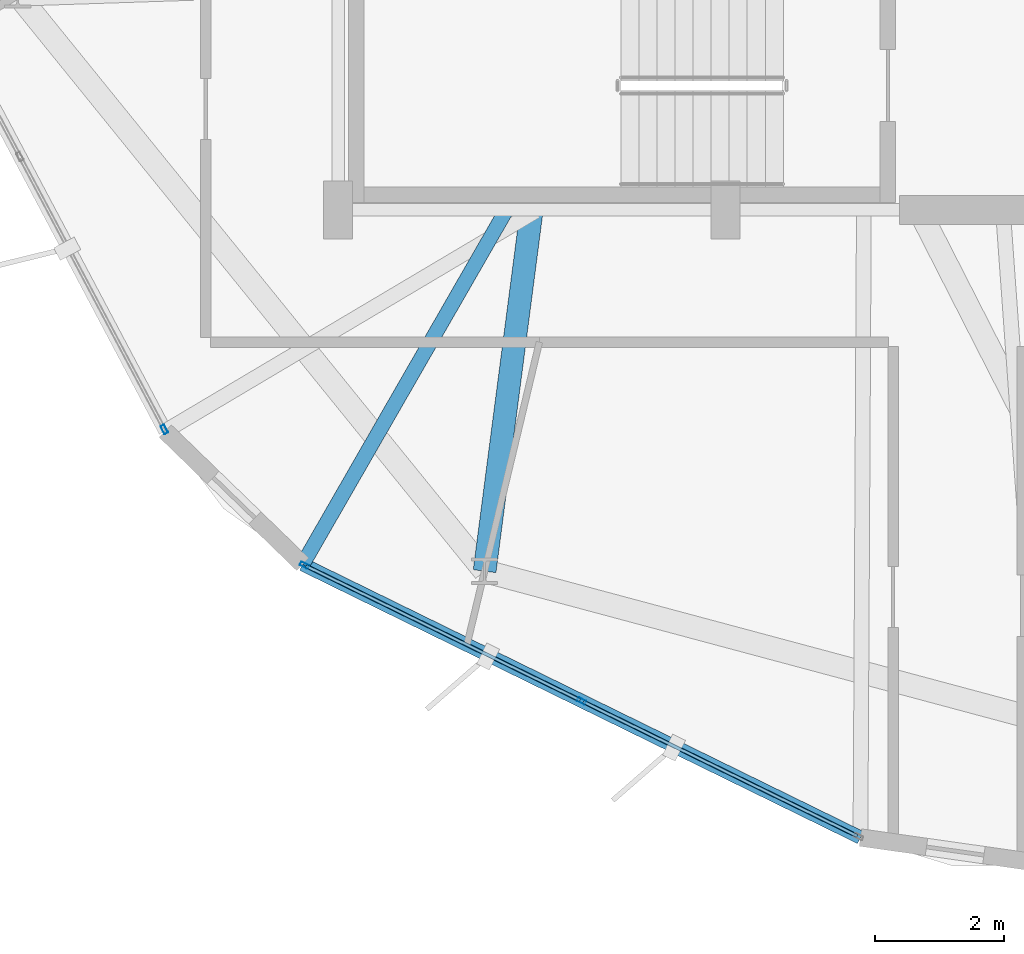
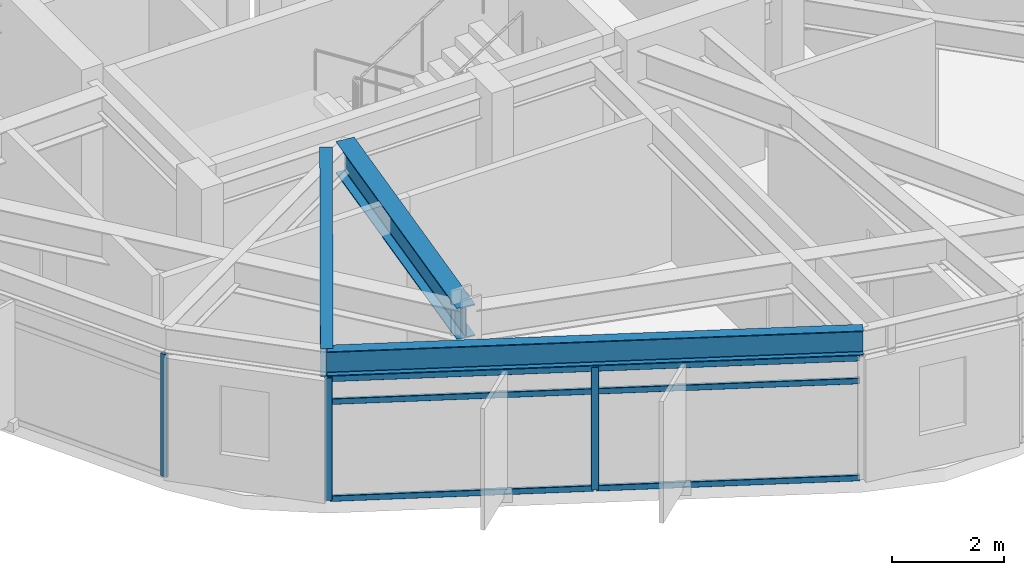
# One storey, part 2 of 28: 9 members, 3 beams, 2 elements without a shape of their own.
"""IFC4 building model written with IfcOpenShell, lengths in metres."""

from ifc_helpers import new_model, si_unit, direction, frame, origin, origin_2d, place, context, subcontext, project, spatial, hollow_rectangle, i_section, extrude, material, layer, layer_set, material_profile, profile_set, type_object, element, aggregate, save


model = new_model("IFC4")

# Units and contexts
model_context = context("Model", 3, precision=1e-05, world=origin(), true_north=direction((0.0, 1.0)))
body_context = subcontext(model_context, "Body", "Model", "MODEL_VIEW")
ifc_project = project(units=[si_unit("LENGTHUNIT", "METRE"), si_unit("AREAUNIT", "SQUARE_METRE"), si_unit("VOLUMEUNIT", "CUBIC_METRE"), si_unit("PLANEANGLEUNIT", "RADIAN"), si_unit("MASSUNIT", "GRAM", prefix="KILO")], contexts=[model_context])

# Site, building, storey
site_placement = place(None, origin())
site = spatial("IfcSite", under=ifc_project, at=site_placement, CompositionType="ELEMENT")
building_placement = place(site_placement, origin())
building = spatial("IfcBuilding", under=site, at=building_placement, Name="Soratama Intermodal Tower", CompositionType="ELEMENT")
storey_placement = place(building_placement, frame((0.0, 0.0, 201.39990234375)))
storey = spatial("IfcBuildingStorey", under=building, at=storey_placement, Name="L50", CompositionType="ELEMENT", Elevation=201.39990234375)

# Beams
ifc_material_1 = material(Name="Structural steel ASTM A992 Grade 50", Category="steel")
ifc_material_profile_1 = material_profile(ifc_material_1, i_section(OverallWidth=0.35498046875, OverallDepth=0.695068359375, WebThickness=0.015380859375, FlangeThickness=0.02490234375, FilletRadius=0.01611328125, at=origin_2d()), Name="W27X146")
ifc_profile_set_1 = profile_set([ifc_material_profile_1], Name="Structural steel ASTM A992 Grade 50")
beam_type_1 = type_object("IfcBeamType", Name="BM-RING-W27X146", PredefinedType="BEAM", material=ifc_profile_set_1)
beam_1_placement = place(storey_placement, frame((35.60009765625, 15.0, 2.95263671875), z_axis=(-0.129280033694, -0.991608124658, 0.0), x_axis=(0.991608124658, -0.129280033694, 0.0)))
element("IfcBeam", 1, at=beam_1_placement, inside=storey, type_object=beam_type_1, Name="BM-L50-RAD-07", PredefinedType="BEAM", context=body_context, shape_type="SweptSolid", body=[
    extrude(i_section(OverallWidth=0.35498046875, OverallDepth=0.695068359375, WebThickness=0.015380859375, FlangeThickness=0.02490234375, FilletRadius=0.01611328125, at=origin_2d()), origin(), (0.0, 0.0, 1.0), 5.646484375),
])
ifc_material_2 = material(Name="Structural steel ASTM A992 Grade 50", Category="steel")
ifc_material_profile_2 = material_profile(ifc_material_2, i_section(OverallWidth=0.2099609375, OverallDepth=0.537109375, WebThickness=0.010986328125, FlangeThickness=0.017333984375, FilletRadius=0.012939453125, at=origin_2d()), Name="W21X68")
ifc_profile_set_2 = profile_set([ifc_material_profile_2], Name="Structural steel ASTM A992 Grade 50")
beam_type_2 = type_object("IfcBeamType", Name="BM-SPN-W21X68", PredefinedType="SPANDREL", material=ifc_profile_set_2)
beam_2_placement = place(storey_placement, frame((32.051025390625, 9.507080078125, 3.031494140625), z_axis=(0.898030189866, -0.439933833762, 0.0), x_axis=(0.439933833762, 0.898030189866, 0.0)))
element("IfcBeam", 2, at=beam_2_placement, inside=storey, type_object=beam_type_2, Name="BS-L50-F06", PredefinedType="SPANDREL", context=body_context, shape_type="SweptSolid", body=[
    extrude(i_section(OverallWidth=0.2099609375, OverallDepth=0.537109375, WebThickness=0.010986328125, FlangeThickness=0.017333984375, FilletRadius=0.012939453125, at=origin_2d()), origin(), (0.0, 0.0, 1.0), 9.62451171875),
])
ifc_material_3 = material(Name="Structural steel ASTM A992 Grade 50", Category="steel")
ifc_material_profile_3 = material_profile(ifc_material_3, i_section(OverallWidth=0.22900390625, OverallDepth=0.612060546875, WebThickness=0.011962890625, FlangeThickness=0.01953125, FilletRadius=0.012939453125, at=origin_2d()), Name="W24X84")
ifc_profile_set_3 = profile_set([ifc_material_profile_3], Name="Structural steel ASTM A992 Grade 50")
beam_type_3 = type_object("IfcBeamType", Name="BM-TIE-W24X84", PredefinedType="BEAM", material=ifc_profile_set_3)
beam_3_placement = place(storey_placement, frame((35.18896484375, 14.965087890625, 2.994140625), z_axis=(-0.498421580071, -0.866934789081, 0.0), x_axis=(0.866934789081, -0.498421580071, 0.0)))
element("IfcBeam", 3, at=beam_3_placement, inside=storey, type_object=beam_type_3, Name="BM-L50-TIE0-06", PredefinedType="BEAM", context=body_context, shape_type="SweptSolid", body=[
    extrude(i_section(OverallWidth=0.22900390625, OverallDepth=0.612060546875, WebThickness=0.011962890625, FlangeThickness=0.01953125, FilletRadius=0.012939453125, at=origin_2d()), origin(), (0.0, 0.0, 1.0), 6.295654296875),
])

# Curtain wall, member
ifc_material_4 = material(Name="Double-glazed aluminium curtain wall", Category="aluminium")
ifc_layer = layer(ifc_material_4, 0.159912109375)
ifc_layer_set = layer_set([ifc_layer], Name="Double-glazed aluminium curtain wall")
curtain_wall_type = type_object("IfcCurtainWallType", Name="CW-SYS-5", PredefinedType="NOTDEFINED", material=ifc_layer_set)
curtain_wall_1_placement = place(storey_placement, origin())
curtain_wall_1 = element("IfcCurtainWall", 4, at=curtain_wall_1_placement, inside=storey, type_object=curtain_wall_type, Name="L50 Faceted Curtain Wall F05", PredefinedType="NOTDEFINED")
ifc_material_5 = material(Name="Anodised aluminium AA 6063-T6", Category="aluminium")
ifc_material_profile_4 = material_profile(ifc_material_5, hollow_rectangle(XDim=0.06494140625, YDim=0.139892578125, WallThickness=0.0048828125, InnerFilletRadius=0.0048828125, OuterFilletRadius=0.010009765625, at=origin_2d()), Name="CWM140X65X5")
ifc_profile_set_4 = profile_set([ifc_material_profile_4], Name="Anodised aluminium AA 6063-T6")
member_type_1 = type_object("IfcMemberType", Name="MT-CWM-5", PredefinedType="MULLION", material=ifc_profile_set_4)
member_1_placement = place(storey_placement, frame((29.906982421875, 11.59765625, 0.0), z_axis=(0.0, 0.0, 1.0), x_axis=(0.883764662707, 0.467931641321, 0.0)))
member_1 = element("IfcMember", 5, at=member_1_placement, type_object=member_type_1, Name="CW-5 mullion 3", PredefinedType="MULLION", context=body_context, shape_type="SweptSolid", body=[
    extrude(hollow_rectangle(XDim=0.06494140625, YDim=0.139892578125, WallThickness=0.0048828125, InnerFilletRadius=0.0048828125, OuterFilletRadius=0.010009765625, at=origin_2d()), origin(), (0.0, 0.0, 1.0), 2.67919921875),
])
aggregate(curtain_wall_1, [member_1])

# Curtain wall, members
curtain_wall_2_placement = place(storey_placement, origin())
curtain_wall_2 = element("IfcCurtainWall", 6, at=curtain_wall_2_placement, inside=storey, type_object=curtain_wall_type, Name="L50 Faceted Curtain Wall F06", PredefinedType="NOTDEFINED")
member_2_placement = place(storey_placement, frame((32.078369140625, 9.493408203125, 0.0), z_axis=(0.0, 0.0, 1.0), x_axis=(0.439937909468, 0.898028193217, 0.0)))
member_2 = element("IfcMember", 7, at=member_2_placement, type_object=member_type_1, Name="CW-5 mullion 1", PredefinedType="MULLION", context=body_context, shape_type="SweptSolid", body=[
    extrude(hollow_rectangle(XDim=0.06494140625, YDim=0.139892578125, WallThickness=0.0048828125, InnerFilletRadius=0.0048828125, OuterFilletRadius=0.010009765625, at=origin_2d()), origin(), (0.0, 0.0, 1.0), 2.67919921875),
])
member_3_placement = place(storey_placement, frame((36.372802734375, 7.3896484375, 0.0), z_axis=(0.0, 0.0, 1.0), x_axis=(0.439937909468, 0.898028193217, 0.0)))
member_3 = element("IfcMember", 8, at=member_3_placement, type_object=member_type_1, Name="CW-5 mullion 2", PredefinedType="MULLION", context=body_context, shape_type="SweptSolid", body=[
    extrude(hollow_rectangle(XDim=0.06494140625, YDim=0.139892578125, WallThickness=0.0048828125, InnerFilletRadius=0.0048828125, OuterFilletRadius=0.010009765625, at=origin_2d()), origin(), (0.0, 0.0, 1.0), 2.67919921875),
])
ifc_material_6 = material(Name="Anodised aluminium AA 6063-T6", Category="aluminium")
ifc_material_profile_5 = material_profile(ifc_material_6, hollow_rectangle(XDim=0.06005859375, YDim=0.1298828125, WallThickness=0.0048828125, InnerFilletRadius=0.0048828125, OuterFilletRadius=0.010009765625, at=origin_2d()), Name="CWT130X60X5")
ifc_profile_set_5 = profile_set([ifc_material_profile_5], Name="Anodised aluminium AA 6063-T6")
member_type_2 = type_object("IfcMemberType", Name="TT-CWT-2", PredefinedType="USERDEFINED", material=ifc_profile_set_5)
member_4_placement = place(storey_placement, frame((32.10546875, 9.480224609375, 0.030029296875), z_axis=(0.898027275491, -0.439939782783, 0.0), x_axis=(0.439939782783, 0.898027275491, 0.0)))
member_4 = element("IfcMember", 9, at=member_4_placement, type_object=member_type_2, Name="CW-5 transom 1.1", ObjectType="TRANSOM", PredefinedType="USERDEFINED", context=body_context, shape_type="SweptSolid", body=[
    extrude(hollow_rectangle(XDim=0.06005859375, YDim=0.1298828125, WallThickness=0.0048828125, InnerFilletRadius=0.0048828125, OuterFilletRadius=0.010009765625, at=origin_2d()), origin(), (0.0, 0.0, 1.0), 4.721923828125),
])
member_5_placement = place(storey_placement, frame((32.10546875, 9.480224609375, 2.150146484375), z_axis=(0.898027275491, -0.439939782783, 0.0), x_axis=(0.439939782783, 0.898027275491, 0.0)))
member_5 = element("IfcMember", 10, at=member_5_placement, type_object=member_type_2, Name="CW-5 transom 1.2", ObjectType="TRANSOM", PredefinedType="USERDEFINED", context=body_context, shape_type="SweptSolid", body=[
    extrude(hollow_rectangle(XDim=0.06005859375, YDim=0.1298828125, WallThickness=0.0048828125, InnerFilletRadius=0.0048828125, OuterFilletRadius=0.010009765625, at=origin_2d()), origin(), (0.0, 0.0, 1.0), 4.721923828125),
])
member_6_placement = place(storey_placement, frame((32.10546875, 9.480224609375, 2.649169921875), z_axis=(0.898027275491, -0.439939782783, 0.0), x_axis=(0.439939782783, 0.898027275491, 0.0)))
member_6 = element("IfcMember", 11, at=member_6_placement, type_object=member_type_2, Name="CW-5 transom 1.3", ObjectType="TRANSOM", PredefinedType="USERDEFINED", context=body_context, shape_type="SweptSolid", body=[
    extrude(hollow_rectangle(XDim=0.06005859375, YDim=0.1298828125, WallThickness=0.0048828125, InnerFilletRadius=0.0048828125, OuterFilletRadius=0.010009765625, at=origin_2d()), origin(), (0.0, 0.0, 1.0), 4.721923828125),
])
member_7_placement = place(storey_placement, frame((36.39990234375, 7.37646484375, 0.030029296875), z_axis=(0.898027275491, -0.439939782783, 0.0), x_axis=(0.439939782783, 0.898027275491, 0.0)))
member_7 = element("IfcMember", 12, at=member_7_placement, type_object=member_type_2, Name="CW-5 transom 2.1", ObjectType="TRANSOM", PredefinedType="USERDEFINED", context=body_context, shape_type="SweptSolid", body=[
    extrude(hollow_rectangle(XDim=0.06005859375, YDim=0.1298828125, WallThickness=0.0048828125, InnerFilletRadius=0.0048828125, OuterFilletRadius=0.010009765625, at=origin_2d()), origin(), (0.0, 0.0, 1.0), 4.721923828125),
])
member_8_placement = place(storey_placement, frame((36.39990234375, 7.37646484375, 2.150146484375), z_axis=(0.898027275491, -0.439939782783, 0.0), x_axis=(0.439939782783, 0.898027275491, 0.0)))
member_8 = element("IfcMember", 13, at=member_8_placement, type_object=member_type_2, Name="CW-5 transom 2.2", ObjectType="TRANSOM", PredefinedType="USERDEFINED", context=body_context, shape_type="SweptSolid", body=[
    extrude(hollow_rectangle(XDim=0.06005859375, YDim=0.1298828125, WallThickness=0.0048828125, InnerFilletRadius=0.0048828125, OuterFilletRadius=0.010009765625, at=origin_2d()), origin(), (0.0, 0.0, 1.0), 4.721923828125),
])
member_9_placement = place(storey_placement, frame((36.39990234375, 7.37646484375, 2.649169921875), z_axis=(0.898027275491, -0.439939782783, 0.0), x_axis=(0.439939782783, 0.898027275491, 0.0)))
member_9 = element("IfcMember", 14, at=member_9_placement, type_object=member_type_2, Name="CW-5 transom 2.3", ObjectType="TRANSOM", PredefinedType="USERDEFINED", context=body_context, shape_type="SweptSolid", body=[
    extrude(hollow_rectangle(XDim=0.06005859375, YDim=0.1298828125, WallThickness=0.0048828125, InnerFilletRadius=0.0048828125, OuterFilletRadius=0.010009765625, at=origin_2d()), origin(), (0.0, 0.0, 1.0), 4.721923828125),
])
aggregate(curtain_wall_2, [member_2, member_3, member_4, member_5, member_6, member_7, member_8, member_9])

save(model, "model.ifc")
